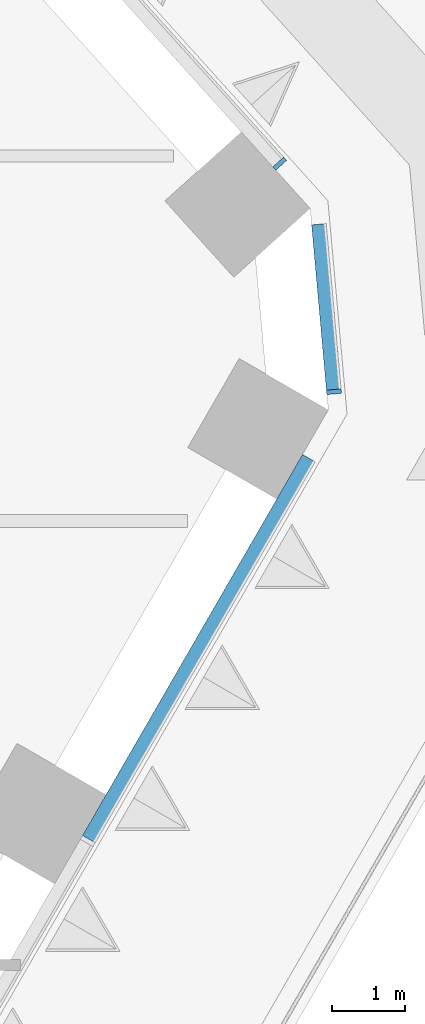
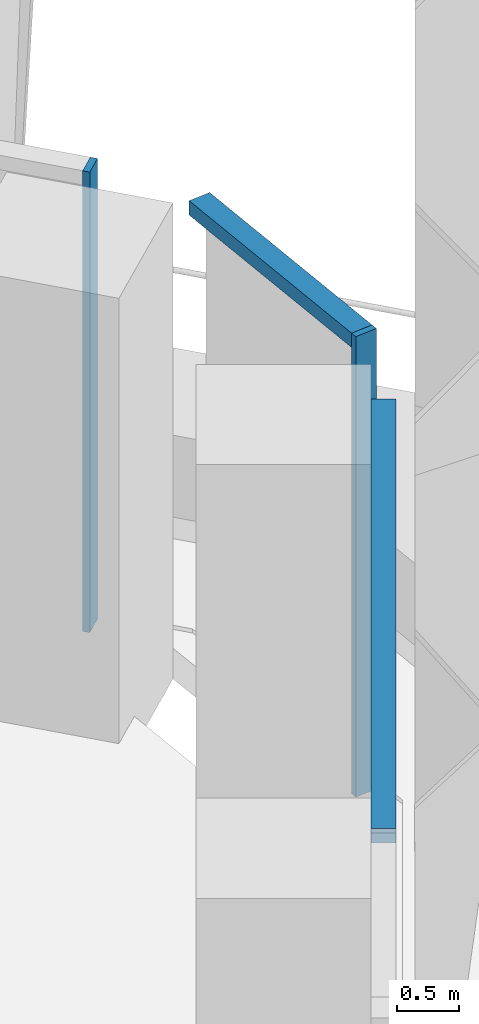
# One storey, part 11 of 27: 4 members, 3 elements without a shape of their own.
"""IFC4 building model written with IfcOpenShell, lengths in metres."""

from ifc_helpers import new_model, si_unit, direction, frame, origin, origin_2d, place, context, subcontext, project, spatial, rectangle, extrude, material, layer, layer_set, material_profile, profile_set, type_object, element, aggregate, save


model = new_model("IFC4")

# Units and contexts
model_context = context("Model", 3, precision=1e-05, world=origin(), true_north=direction((0.0, 1.0)))
body_context = subcontext(model_context, "Body", "Model", "MODEL_VIEW")
ifc_project = project(units=[si_unit("LENGTHUNIT", "METRE"), si_unit("AREAUNIT", "SQUARE_METRE"), si_unit("VOLUMEUNIT", "CUBIC_METRE"), si_unit("PLANEANGLEUNIT", "RADIAN"), si_unit("MASSUNIT", "GRAM", prefix="KILO")], contexts=[model_context])

# Site, building, storey
site_placement = place(None, origin())
site = spatial("IfcSite", under=ifc_project, at=site_placement, CompositionType="ELEMENT")
building_placement = place(site_placement, origin())
building = spatial("IfcBuilding", under=site, at=building_placement, Name="Isthmus Gate Tower", CompositionType="ELEMENT")
storey_placement = place(building_placement, frame((0.0, 0.0, 121.64990234375)))
storey = spatial("IfcBuildingStorey", under=building, at=storey_placement, Name="L29", CompositionType="ELEMENT", Elevation=121.64990234375)

# Curtain wall, member
ifc_material_1 = material(Name="Aluminium, pale champagne anodised", Category="aluminium")
ifc_layer = layer(ifc_material_1, 0.199951171875)
ifc_layer_set = layer_set([ifc_layer], Name="CW-1 UNITISED CURTAIN WALL 200 DEEP")
curtain_wall_type = type_object("IfcCurtainWallType", Name="CW-1 UNITISED CURTAIN WALL 200 DEEP", PredefinedType="NOTDEFINED", material=ifc_layer_set)
curtain_wall_1_placement = place(storey_placement, origin())
curtain_wall_1 = element("IfcCurtainWall", 1, at=curtain_wall_1_placement, inside=storey, type_object=curtain_wall_type, Name="CW-1 SE-NE L29", PredefinedType="NOTDEFINED")
ifc_material_2 = material(Name="Aluminium, pale champagne anodised", Category="aluminium")
ifc_material_profile_1 = material_profile(ifc_material_2, rectangle(XDim=0.06005859375, YDim=0.199951171875, at=origin_2d()), Name="60x200")
ifc_profile_set_1 = profile_set([ifc_material_profile_1], Name="Aluminium, pale champagne anodised")
member_type_1 = type_object("IfcMemberType", Name="CW-1 MULLION 60 X 200", PredefinedType="MULLION", material=ifc_profile_set_1)
member_1_placement = place(storey_placement, frame((33.307861328125, 1.804443359375, 0.0), z_axis=(0.0, 0.0, 1.0), x_axis=(-0.089396669717, 0.995996102123, 0.0)))
member_1 = element("IfcMember", 2, at=member_1_placement, type_object=member_type_1, Name="CW-1 mullion", PredefinedType="MULLION", context=body_context, shape_type="SweptSolid", body=[
    extrude(rectangle(XDim=0.06005859375, YDim=0.199951171875, at=origin_2d()), origin(), (0.0, 0.0, 1.0), 4.5),
])

curtain_wall_2_placement = place(storey_placement, origin())
curtain_wall_2 = element("IfcCurtainWall", 3, at=curtain_wall_2_placement, inside=storey, type_object=curtain_wall_type, Name="CW-1 NE L29", PredefinedType="NOTDEFINED")
member_2_placement = place(storey_placement, frame((32.5693359375, 4.908447265625, 0.0), z_axis=(0.0, 0.0, 1.0), x_axis=(-0.669130606359, 0.743144825477, 0.0)))
member_2 = element("IfcMember", 4, at=member_2_placement, type_object=member_type_1, Name="CW-1 mullion", PredefinedType="MULLION", context=body_context, shape_type="SweptSolid", body=[
    extrude(rectangle(XDim=0.06005859375, YDim=0.199951171875, at=origin_2d()), origin(), (0.0, 0.0, 1.0), 4.5),
])
aggregate(curtain_wall_2, [member_2])

curtain_wall_3_placement = place(storey_placement, origin())
curtain_wall_3 = element("IfcCurtainWall", 5, at=curtain_wall_3_placement, inside=storey, type_object=curtain_wall_type, Name="CW-1 SE L29", PredefinedType="NOTDEFINED")
ifc_material_3 = material(Name="Aluminium, pale champagne anodised", Category="aluminium")
ifc_material_profile_2 = material_profile(ifc_material_3, rectangle(XDim=0.199951171875, YDim=0.139892578125, at=origin_2d()), Name="200x140")
ifc_profile_set_2 = profile_set([ifc_material_profile_2], Name="Aluminium, pale champagne anodised")
member_type_2 = type_object("IfcMemberType", Name="CW-1 TRANSOM 200 X 140", PredefinedType="USERDEFINED", material=ifc_profile_set_2)
member_3_placement = place(storey_placement, frame((29.97119140625, -4.288330078125, 4.43017578125), z_axis=(0.499996458184, 0.866027448643, 0.0), x_axis=(-0.866027448643, 0.499996458184, 0.0)))
member_3 = element("IfcMember", 6, at=member_3_placement, type_object=member_type_2, Name="CW-1 transom", ObjectType="TRANSOM", PredefinedType="USERDEFINED", context=body_context, shape_type="SweptSolid", body=[
    extrude(rectangle(XDim=0.199951171875, YDim=0.139892578125, at=origin_2d()), origin(), (0.0, 0.0, 1.0), 5.990234375),
])
aggregate(curtain_wall_3, [member_3])

# Member
member_4_placement = place(storey_placement, frame((33.30517578125, 1.83447265625, 4.43017578125), z_axis=(-0.089395362867, 0.995996219419, 0.0), x_axis=(-0.995996219419, -0.089395362867, 0.0)))
member_4 = element("IfcMember", 7, at=member_4_placement, type_object=member_type_2, Name="CW-1 transom", ObjectType="TRANSOM", PredefinedType="USERDEFINED", context=body_context, shape_type="SweptSolid", body=[
    extrude(rectangle(XDim=0.199951171875, YDim=0.139892578125, at=origin_2d()), origin(), (0.0, 0.0, 1.0), 2.258544921875),
])

aggregate(curtain_wall_1, [member_1, member_4])

save(model, "model.ifc")
